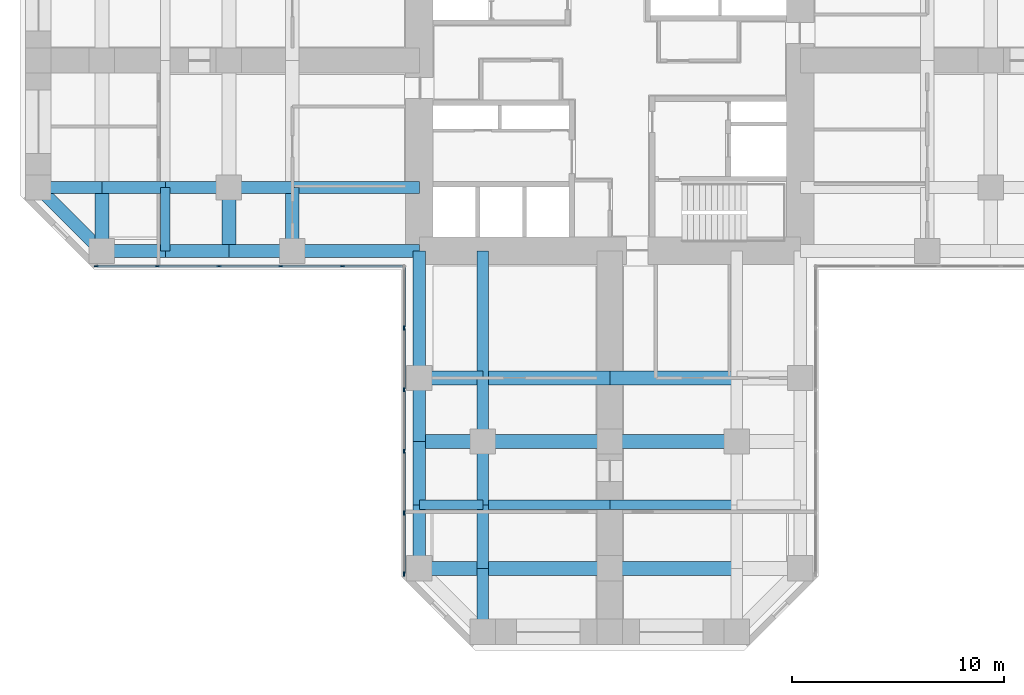
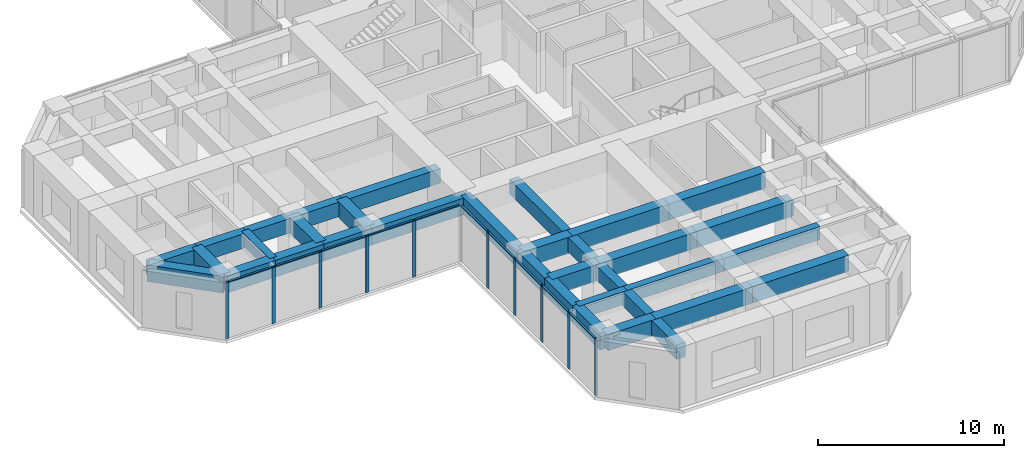
# One storey, part 2 of 13: 35 beams, 20 members, 2 elements without a shape of their own.
"""IFC4 building model written with IfcOpenShell, lengths in metres."""

import ifcopenshell
import ifcopenshell.guid

model = None  # the IFC model being written
_history = None  # IfcOwnerHistory: only IFC2X3 demands one
_inside = {}  # id of a spatial element -> (the spatial element, [elements in it])
_under = {}  # id of a project, library or spatial element -> (it, [spatial elements below it])
_declared = {}  # id of a project -> (the project, [libraries it declares])
_typed = {}  # id of a type object -> (the type object, [elements of that type])
_made_of = {}  # id of a material, layer set ... -> (it, [elements and type objects made of it])


def new_model(schema):
    """Start an empty IFC model of exactly this schema.

    Asked for "IFC4X3", IfcOpenShell would pick the latest addendum, in which some entities
    have other attributes; the version numbers below select the first issue.
    IFC2X3 requires an IfcOwnerHistory on every rooted entity: one is made here for all.
    """
    global model, _history
    if schema == "IFC4X3":
        model = ifcopenshell.file(schema_version=(4, 3, 0, 0))
    else:
        model = ifcopenshell.file(schema=schema)
    _inside.clear()
    _under.clear()
    _declared.clear()
    _typed.clear()
    _made_of.clear()
    _history = None
    if model.schema == "IFC2X3":
        org = make("IfcOrganization", Name="unknown")
        user = make(
            "IfcPersonAndOrganization",
            ThePerson=make("IfcPerson", FamilyName="unknown"),
            TheOrganization=org,
        )
        app = make(
            "IfcApplication",
            ApplicationDeveloper=org,
            Version="unknown",
            ApplicationFullName="unknown",
            ApplicationIdentifier="unknown",
        )
        _history = make(
            "IfcOwnerHistory",
            OwningUser=user,
            OwningApplication=app,
            ChangeAction="ADDED",
            CreationDate=0,
        )
    return model


def make(cls, **values):
    """One entity of the class cls with the attributes given. An attribute that is None is left unset."""
    return model.create_entity(
        cls, **{name: value for name, value in values.items() if value is not None}
    )


def rooted(cls, **values):
    """An entity with a GlobalId (a new one), such as an element, a storey or a relation."""
    return make(cls, GlobalId=ifcopenshell.guid.new(), OwnerHistory=_history, **values)


def si_unit(unit_type, name, prefix=None):
    """IfcSIUnit, for example si_unit("LENGTHUNIT", "METRE", prefix="MILLI")."""
    return make("IfcSIUnit", UnitType=unit_type, Prefix=prefix, Name=name)


def assignment(units):
    """IfcUnitAssignment: the units of a project."""
    return None if units is None else make("IfcUnitAssignment", Units=units)


def point(xyz):
    """IfcCartesianPoint."""
    return None if xyz is None else make("IfcCartesianPoint", Coordinates=xyz)


def direction(xyz):
    """IfcDirection."""
    return None if xyz is None else make("IfcDirection", DirectionRatios=xyz)


def frame(location, z_axis=None, x_axis=None):
    """IfcAxis2Placement3D, a coordinate frame: its origin and axes. An axis left out is left unset."""
    return make(
        "IfcAxis2Placement3D",
        Location=point(location),
        Axis=direction(z_axis),
        RefDirection=direction(x_axis),
    )


def frame_2d(location, x_axis=None):
    """IfcAxis2Placement2D, a coordinate frame in the plane: its origin and x axis."""
    return make(
        "IfcAxis2Placement2D", Location=point(location), RefDirection=direction(x_axis)
    )


def origin():
    """The frame at (0, 0, 0) with its axes left unset."""
    return frame((0.0, 0.0, 0.0))


def origin_2d():
    """The frame at (0, 0) in the plane with its x axis left unset."""
    return frame_2d((0.0, 0.0))


def place(relative_to, where):
    """IfcLocalPlacement: puts the frame where relative to a parent placement (None: the world)."""
    return make(
        "IfcLocalPlacement", PlacementRelTo=relative_to, RelativePlacement=where
    )


def context(
    kind, dimensions, precision=None, world=None, true_north=None, identifier=None
):
    """IfcGeometricRepresentationContext, for example the 3D "Model" context."""
    return make(
        "IfcGeometricRepresentationContext",
        ContextIdentifier=identifier,
        ContextType=kind,
        CoordinateSpaceDimension=dimensions,
        Precision=precision,
        WorldCoordinateSystem=world,
        TrueNorth=true_north,
    )


def subcontext(parent, identifier, kind, view, scale=None):
    """IfcGeometricRepresentationSubContext, for example "Body" below "Model"."""
    return make(
        "IfcGeometricRepresentationSubContext",
        ContextIdentifier=identifier,
        ContextType=kind,
        ParentContext=parent,
        TargetScale=scale,
        TargetView=view,
    )


def project(units=None, contexts=None):
    """IfcProject with its units and contexts."""
    return rooted(
        "IfcProject",
        Name="project",
        RepresentationContexts=contexts,
        UnitsInContext=assignment(units),
    )


def spatial(cls, under=None, at=None, **own):
    """A site, building, storey or space (cls), placed at a placement, below another one or the project."""
    s = rooted(cls, ObjectPlacement=at, **own)
    if under is not None:
        _under.setdefault(under.id(), (under, []))[1].append(s)
    return s


def profile(cls, at=None, kind="AREA", **sizes):
    """A parametric profile (cls). Its sizes go by their IFC names, for example OverallWidth=200.0."""
    return make(cls, ProfileType=kind, Position=at, **sizes)


def rectangle(**sizes):
    """IfcRectangleProfileDef."""
    return profile("IfcRectangleProfileDef", **sizes)


def extrude(swept, where, along, depth):
    """IfcExtrudedAreaSolid: the profile swept, set in the frame where, extruded along a direction by depth."""
    return make(
        "IfcExtrudedAreaSolid",
        SweptArea=swept,
        Position=where,
        ExtrudedDirection=direction(along),
        Depth=depth,
    )


def shape(context_of_items, identifier, shape_type, items):
    """IfcShapeRepresentation: the items that make up one representation, for example the "Body"."""
    return make(
        "IfcShapeRepresentation",
        ContextOfItems=context_of_items,
        RepresentationIdentifier=identifier,
        RepresentationType=shape_type,
        Items=items,
    )


def material(Name=None, Category=None):
    """IfcMaterial."""
    return make("IfcMaterial", Name=Name, Category=Category)


def material_profile(
    of_material, cross_section, Name=None, Category=None, Priority=None
):
    """IfcMaterialProfile: a cross section and its material."""
    return make(
        "IfcMaterialProfile",
        Name=Name,
        Material=of_material,
        Profile=cross_section,
        Priority=Priority,
        Category=Category,
    )


def profile_set(profiles, Name=None, composite=None):
    """IfcMaterialProfileSet."""
    return make(
        "IfcMaterialProfileSet",
        Name=Name,
        MaterialProfiles=profiles,
        CompositeProfile=composite,
    )


def made_of(thing, what):
    """Note that an element or type object is made of a material, layer set ...; save() writes the relation."""
    if what is not None:
        _made_of.setdefault(what.id(), (what, []))[1].append(thing)
    return thing


def type_object(cls, material=None, **own):
    """A type object (cls), such as IfcWallType, which elements share."""
    return made_of(rooted(cls, **own), material)


def element(
    cls,
    number,
    at=None,
    inside=None,
    cuts=None,
    type_object=None,
    material=None,
    context=None,
    identifier="Body",
    shape_type=None,
    held_by="IfcProductDefinitionShape",
    body=None,
    shapes=None,
    **own,
):
    """One element of the class cls, such as IfcWall. Its Tag is "e" and its number.

    at: its placement. inside: the storey or other place that contains it. cuts: it is an
    opening in that element (IfcRelVoidsElement). A single representation is given by context,
    identifier, shape_type and body (its items); several are given by shapes. held_by: the class
    of the entity that holds the representations. save() writes the other relations.
    """
    e = rooted(cls, Tag="e%d" % number, ObjectPlacement=at, **own)
    if body is not None:
        shapes = [shape(context, identifier, shape_type, body)]
    if shapes is not None:
        e.Representation = make(held_by, Representations=shapes)
    if inside is not None:
        _inside.setdefault(inside.id(), (inside, []))[1].append(e)
    if cuts is not None:
        rooted(
            "IfcRelVoidsElement", RelatingBuildingElement=cuts, RelatedOpeningElement=e
        )
    if type_object is not None:
        _typed.setdefault(type_object.id(), (type_object, []))[1].append(e)
    return made_of(e, material)


def aggregate(whole, parts):
    """IfcRelAggregates: a whole, such as a stair, and the parts it consists of."""
    return rooted("IfcRelAggregates", RelatingObject=whole, RelatedObjects=parts)


def save(model, path):
    """Write the relations noted so far, then the file.

    IfcRelAggregates (storeys below a building ...), IfcRelContainedInSpatialStructure (elements
    in a storey), IfcRelDefinesByType, IfcRelAssociatesMaterial and IfcRelDeclares: one each for
    every whole, place, type object, material and project.
    """
    for whole, parts in _under.values():
        aggregate(whole, parts)
    for where, things in _inside.values():
        rooted(
            "IfcRelContainedInSpatialStructure",
            RelatedElements=things,
            RelatingStructure=where,
        )
    for kind, things in _typed.values():
        rooted("IfcRelDefinesByType", RelatedObjects=things, RelatingType=kind)
    for what, things in _made_of.values():
        rooted("IfcRelAssociatesMaterial", RelatedObjects=things, RelatingMaterial=what)
    for by, libraries in _declared.values():
        rooted("IfcRelDeclares", RelatingContext=by, RelatedDefinitions=libraries)
    model.write(path)


model = new_model("IFC4")

# Units and contexts
model_context = context("Model", 3, precision=1e-05, world=origin(), true_north=direction((0.0, 1.0)))
body_context = subcontext(model_context, "Body", "Model", "MODEL_VIEW")
ifc_project = project(units=[si_unit("LENGTHUNIT", "METRE"), si_unit("AREAUNIT", "SQUARE_METRE"), si_unit("VOLUMEUNIT", "CUBIC_METRE"), si_unit("PLANEANGLEUNIT", "RADIAN"), si_unit("MASSUNIT", "GRAM", prefix="KILO")], contexts=[model_context])

# Site, building, storey
site_placement = place(None, origin())
site = spatial("IfcSite", under=ifc_project, at=site_placement, CompositionType="ELEMENT")
building_placement = place(site_placement, origin())
building = spatial("IfcBuilding", under=site, at=building_placement, Name="Torre Cruceta", CompositionType="ELEMENT")
storey_placement = place(building_placement, frame((0.0, 0.0, 91.5)))
storey = spatial("IfcBuildingStorey", under=building, at=storey_placement, Name="L22", CompositionType="ELEMENT", Elevation=91.5)

# Beams
ifc_material_1 = material(Name="Concrete G60 (fck 60 MPa)", Category="concrete")
ifc_material_profile_1 = material_profile(ifc_material_1, rectangle(XDim=0.550048828125, YDim=0.949951171875, at=origin_2d()), Name="RC 550X950")
ifc_profile_set_1 = profile_set([ifc_material_profile_1], Name="Concrete G60 (fck 60 MPa)")
beam_type_1 = type_object("IfcBeamType", Name="COLUMN LINE BEAM RC 550X950", PredefinedType="BEAM", material=ifc_profile_set_1)
beam_1_placement = place(storey_placement, frame((-6.0, -9.0, 3.27490234375), z_axis=(0.0, -1.0, 0.0), x_axis=(1.0, 0.0, 0.0)))
element("IfcBeam", 1, at=beam_1_placement, inside=storey, type_object=beam_type_1, Name="LB3 L22 S col- 1", PredefinedType="BEAM", context=body_context, shape_type="SweptSolid", body=[
    extrude(rectangle(XDim=0.550048828125, YDim=0.949951171875, at=origin_2d()), origin(), (0.0, 0.0, 1.0), 6.0),
])
for number, where, z_axis, x_axis, name in (
    (2, (-6.0, -15.0, 3.27490234375), (0.0, -1.0, 0.0), (1.0, 0.0, 0.0), "LB3 L22 S col- 2"),
    (3, (-6.0, -18.0, 3.27490234375), (0.0, -1.0, 0.0), (1.0, 0.0, 0.0), "LB3 L22 S col- 3"),
    (4, (-6.0, -21.0, 3.27490234375), (0.0, -1.0, 0.0), (1.0, 0.0, 0.0), "LB3 L22 S col- 4"),
    (5, (-6.0, -24.0, 3.27490234375), (0.0, -1.0, 0.0), (1.0, 0.0, 0.0), "LB3 L22 S col- 5"),
):
    element("IfcBeam", number, at=place(storey_placement, frame(where, z_axis=z_axis, x_axis=x_axis)), inside=storey, type_object=beam_type_1, Name=name, PredefinedType="BEAM", context=body_context, shape_type="SweptSolid", body=[
        extrude(rectangle(XDim=0.550048828125, YDim=0.949951171875, at=origin_2d()), origin(), (0.0, 0.0, 1.0), 3.0),
    ])
beam_2_placement = place(storey_placement, frame((-9.0, -6.0, 3.27490234375), z_axis=(-1.0, 0.0, 0.0), x_axis=(0.0, -1.0, 0.0)))
element("IfcBeam", 6, at=beam_2_placement, inside=storey, type_object=beam_type_1, Name="LB3 L22 W col+ 1", PredefinedType="BEAM", context=body_context, shape_type="SweptSolid", body=[
    extrude(rectangle(XDim=0.550048828125, YDim=0.949951171875, at=origin_2d()), origin(), (0.0, 0.0, 1.0), 6.0),
])
for number, where, z_axis, x_axis, name in (
    (7, (-15.0, -6.0, 3.27490234375), (-1.0, 0.0, 0.0), (0.0, -1.0, 0.0), "LB3 L22 W col+ 2"),
    (8, (-18.0, -6.0, 3.27490234375), (-1.0, 0.0, 0.0), (0.0, -1.0, 0.0), "LB3 L22 W col+ 3"),
    (9, (-21.0, -6.0, 3.27490234375), (-1.0, 0.0, 0.0), (0.0, -1.0, 0.0), "LB3 L22 W col+ 4"),
    (10, (-24.0, -6.0, 3.27490234375), (-1.0, 0.0, 0.0), (0.0, -1.0, 0.0), "LB3 L22 W col+ 5"),
):
    element("IfcBeam", number, at=place(storey_placement, frame(where, z_axis=z_axis, x_axis=x_axis)), inside=storey, type_object=beam_type_1, Name=name, PredefinedType="BEAM", context=body_context, shape_type="SweptSolid", body=[
        extrude(rectangle(XDim=0.550048828125, YDim=0.949951171875, at=origin_2d()), origin(), (0.0, 0.0, 1.0), 3.0),
    ])
ifc_material_2 = material(Name="Concrete G60 (fck 60 MPa)", Category="concrete")
ifc_material_profile_2 = material_profile(ifc_material_2, rectangle(XDim=0.64990234375, YDim=1.050048828125, at=origin_2d()), Name="RC 650X1050")
ifc_profile_set_2 = profile_set([ifc_material_profile_2], Name="Concrete G60 (fck 60 MPa)")
beam_type_2 = type_object("IfcBeamType", Name="CROSS BEAM RC 650X1050", PredefinedType="BEAM", material=ifc_profile_set_2)
beam_3_placement = place(storey_placement, frame((-9.0, -15.0, 3.22509765625), z_axis=(1.0, 0.0, 0.0), x_axis=(0.0, 1.0, 0.0)))
element("IfcBeam", 11, at=beam_3_placement, inside=storey, type_object=beam_type_2, Name="GB3 L22 S cross15 1", PredefinedType="BEAM", context=body_context, shape_type="SweptSolid", body=[
    extrude(rectangle(XDim=0.64990234375, YDim=1.050048828125, at=origin_2d()), origin(), (0.0, 0.0, 1.0), 3.0),
])
for number, where, z_axis, x_axis, name in (
    (12, (-6.0, -15.0, 3.22509765625), (1.0, 0.0, 0.0), (0.0, 1.0, 0.0), "GB3 L22 S cross15 2"),
    (13, (0.0, -15.0, 3.22509765625), (1.0, 0.0, 0.0), (0.0, 1.0, 0.0), "GB3 L22 S cross15 3"),
):
    element("IfcBeam", number, at=place(storey_placement, frame(where, z_axis=z_axis, x_axis=x_axis)), inside=storey, type_object=beam_type_2, Name=name, PredefinedType="BEAM", context=body_context, shape_type="SweptSolid", body=[
        extrude(rectangle(XDim=0.64990234375, YDim=1.050048828125, at=origin_2d()), origin(), (0.0, 0.0, 1.0), 6.0),
    ])
beam_4_placement = place(storey_placement, frame((-9.0, -18.0, 3.22509765625), z_axis=(1.0, 0.0, 0.0), x_axis=(0.0, 1.0, 0.0)))
element("IfcBeam", 14, at=beam_4_placement, inside=storey, type_object=beam_type_2, Name="GB3 L22 S cross18 1", PredefinedType="BEAM", context=body_context, shape_type="SweptSolid", body=[
    extrude(rectangle(XDim=0.64990234375, YDim=1.050048828125, at=origin_2d()), origin(), (0.0, 0.0, 1.0), 3.0),
])
for number, where, z_axis, x_axis, name in (
    (15, (-6.0, -18.0, 3.22509765625), (1.0, 0.0, 0.0), (0.0, 1.0, 0.0), "GB3 L22 S cross18 2"),
    (16, (0.0, -18.0, 3.22509765625), (1.0, 0.0, 0.0), (0.0, 1.0, 0.0), "GB3 L22 S cross18 3"),
):
    element("IfcBeam", number, at=place(storey_placement, frame(where, z_axis=z_axis, x_axis=x_axis)), inside=storey, type_object=beam_type_2, Name=name, PredefinedType="BEAM", context=body_context, shape_type="SweptSolid", body=[
        extrude(rectangle(XDim=0.64990234375, YDim=1.050048828125, at=origin_2d()), origin(), (0.0, 0.0, 1.0), 6.0),
    ])
beam_5_placement = place(storey_placement, frame((-9.0, -24.0, 3.22509765625), z_axis=(1.0, 0.0, 0.0), x_axis=(0.0, 1.0, 0.0)))
element("IfcBeam", 17, at=beam_5_placement, inside=storey, type_object=beam_type_2, Name="GB3 L22 S cross24 1", PredefinedType="BEAM", context=body_context, shape_type="SweptSolid", body=[
    extrude(rectangle(XDim=0.64990234375, YDim=1.050048828125, at=origin_2d()), origin(), (0.0, 0.0, 1.0), 3.0),
])
for number, where, z_axis, x_axis, name in (
    (18, (-6.0, -24.0, 3.22509765625), (1.0, 0.0, 0.0), (0.0, 1.0, 0.0), "GB3 L22 S cross24 2"),
    (19, (0.0, -24.0, 3.22509765625), (1.0, 0.0, 0.0), (0.0, 1.0, 0.0), "GB3 L22 S cross24 3"),
):
    element("IfcBeam", number, at=place(storey_placement, frame(where, z_axis=z_axis, x_axis=x_axis)), inside=storey, type_object=beam_type_2, Name=name, PredefinedType="BEAM", context=body_context, shape_type="SweptSolid", body=[
        extrude(rectangle(XDim=0.64990234375, YDim=1.050048828125, at=origin_2d()), origin(), (0.0, 0.0, 1.0), 6.0),
    ])
for number, where, z_axis, x_axis, name in (
    (20, (-15.0, -6.0, 3.22509765625), (0.0, -1.0, 0.0), (1.0, 0.0, 0.0), "GB3 L22 W cross15 4"),
    (21, (-18.0, -6.0, 3.22509765625), (0.0, -1.0, 0.0), (1.0, 0.0, 0.0), "GB3 L22 W cross18 4"),
    (22, (-24.0, -6.0, 3.22509765625), (0.0, -1.0, 0.0), (1.0, 0.0, 0.0), "GB3 L22 W cross24 4"),
):
    element("IfcBeam", number, at=place(storey_placement, frame(where, z_axis=z_axis, x_axis=x_axis)), inside=storey, type_object=beam_type_2, Name=name, PredefinedType="BEAM", context=body_context, shape_type="SweptSolid", body=[
        extrude(rectangle(XDim=0.64990234375, YDim=1.050048828125, at=origin_2d()), origin(), (0.0, 0.0, 1.0), 3.0),
    ])

# Curtain wall, members
ifc_material_3 = material(Name="Aluminium unitised curtain wall", Category="aluminium")
curtain_wall_type = type_object("IfcCurtainWallType", Name="CURTAIN WALL CW-A OFFICE LOW RISE", PredefinedType="USERDEFINED", material=ifc_material_3)
curtain_wall_1_placement = place(storey_placement, origin())
curtain_wall_1 = element("IfcCurtainWall", 23, at=curtain_wall_1_placement, inside=storey, type_object=curtain_wall_type, Name="CW-A L22 W side 14", ObjectType="UNITISED", PredefinedType="USERDEFINED")
ifc_material_4 = material(Name="Aluminium mullion", Category="aluminium")
ifc_material_profile_3 = material_profile(ifc_material_4, rectangle(XDim=0.06494140625, YDim=0.199951171875, at=origin_2d()), Name="AL 65X200")
ifc_profile_set_3 = profile_set([ifc_material_profile_3], Name="Aluminium mullion")
member_type_1 = type_object("IfcMemberType", Name="CW-A MULLION 65X200", PredefinedType="MULLION", material=ifc_profile_set_3)
member_1_placement = place(storey_placement, frame((-24.265625, -9.719970703125, 0.0), z_axis=(0.0, 0.0, 1.0), x_axis=(0.0, 1.0, 0.0)))
member_1 = element("IfcMember", 24, at=member_1_placement, type_object=member_type_1, Name="CW-A mullion 1", PredefinedType="MULLION", context=body_context, shape_type="SweptSolid", body=[
    extrude(rectangle(XDim=0.06494140625, YDim=0.199951171875, at=origin_2d()), origin(), (0.0, 0.0, 1.0), 3.75),
])
member_2_placement = place(storey_placement, frame((-21.382568359375, -9.719970703125, 0.0), z_axis=(0.0, 0.0, 1.0), x_axis=(0.0, 1.0, 0.0)))
member_2 = element("IfcMember", 25, at=member_2_placement, type_object=member_type_1, Name="CW-A mullion 2", PredefinedType="MULLION", context=body_context, shape_type="SweptSolid", body=[
    extrude(rectangle(XDim=0.06494140625, YDim=0.199951171875, at=origin_2d()), origin(), (0.0, 0.0, 1.0), 3.75),
])
member_3_placement = place(storey_placement, frame((-18.467041015625, -9.719970703125, 0.0), z_axis=(0.0, 0.0, 1.0), x_axis=(0.0, 1.0, 0.0)))
member_3 = element("IfcMember", 26, at=member_3_placement, type_object=member_type_1, Name="CW-A mullion 3", PredefinedType="MULLION", context=body_context, shape_type="SweptSolid", body=[
    extrude(rectangle(XDim=0.06494140625, YDim=0.199951171875, at=origin_2d()), origin(), (0.0, 0.0, 1.0), 3.75),
])
member_4_placement = place(storey_placement, frame((-15.55126953125, -9.719970703125, 0.0), z_axis=(0.0, 0.0, 1.0), x_axis=(0.0, 1.0, 0.0)))
member_4 = element("IfcMember", 27, at=member_4_placement, type_object=member_type_1, Name="CW-A mullion 4", PredefinedType="MULLION", context=body_context, shape_type="SweptSolid", body=[
    extrude(rectangle(XDim=0.06494140625, YDim=0.199951171875, at=origin_2d()), origin(), (0.0, 0.0, 1.0), 3.75),
])
member_5_placement = place(storey_placement, frame((-12.6357421875, -9.719970703125, 0.0), z_axis=(0.0, 0.0, 1.0), x_axis=(0.0, 1.0, 0.0)))
member_5 = element("IfcMember", 28, at=member_5_placement, type_object=member_type_1, Name="CW-A mullion 5", PredefinedType="MULLION", context=body_context, shape_type="SweptSolid", body=[
    extrude(rectangle(XDim=0.06494140625, YDim=0.199951171875, at=origin_2d()), origin(), (0.0, 0.0, 1.0), 3.75),
])

curtain_wall_2_placement = place(storey_placement, origin())
curtain_wall_2 = element("IfcCurtainWall", 29, at=curtain_wall_2_placement, inside=storey, type_object=curtain_wall_type, Name="CW-A L22 S side 15", ObjectType="UNITISED", PredefinedType="USERDEFINED")
member_6_placement = place(storey_placement, frame((-9.719970703125, -12.6357421875, 0.0), z_axis=(0.0, 0.0, 1.0), x_axis=(1.0, 0.0, 0.0)))
member_6 = element("IfcMember", 30, at=member_6_placement, type_object=member_type_1, Name="CW-A mullion 2", PredefinedType="MULLION", context=body_context, shape_type="SweptSolid", body=[
    extrude(rectangle(XDim=0.06494140625, YDim=0.199951171875, at=origin_2d()), origin(), (0.0, 0.0, 1.0), 3.75),
])
member_7_placement = place(storey_placement, frame((-9.719970703125, -15.55126953125, 0.0), z_axis=(0.0, 0.0, 1.0), x_axis=(1.0, 0.0, 0.0)))
member_7 = element("IfcMember", 31, at=member_7_placement, type_object=member_type_1, Name="CW-A mullion 3", PredefinedType="MULLION", context=body_context, shape_type="SweptSolid", body=[
    extrude(rectangle(XDim=0.06494140625, YDim=0.199951171875, at=origin_2d()), origin(), (0.0, 0.0, 1.0), 3.75),
])
member_8_placement = place(storey_placement, frame((-9.719970703125, -18.467041015625, 0.0), z_axis=(0.0, 0.0, 1.0), x_axis=(1.0, 0.0, 0.0)))
member_8 = element("IfcMember", 32, at=member_8_placement, type_object=member_type_1, Name="CW-A mullion 4", PredefinedType="MULLION", context=body_context, shape_type="SweptSolid", body=[
    extrude(rectangle(XDim=0.06494140625, YDim=0.199951171875, at=origin_2d()), origin(), (0.0, 0.0, 1.0), 3.75),
])
member_9_placement = place(storey_placement, frame((-9.719970703125, -21.382568359375, 0.0), z_axis=(0.0, 0.0, 1.0), x_axis=(1.0, 0.0, 0.0)))
member_9 = element("IfcMember", 33, at=member_9_placement, type_object=member_type_1, Name="CW-A mullion 5", PredefinedType="MULLION", context=body_context, shape_type="SweptSolid", body=[
    extrude(rectangle(XDim=0.06494140625, YDim=0.199951171875, at=origin_2d()), origin(), (0.0, 0.0, 1.0), 3.75),
])
member_10_placement = place(storey_placement, frame((-9.719970703125, -24.265625, 0.0), z_axis=(0.0, 0.0, 1.0), x_axis=(1.0, 0.0, 0.0)))
member_10 = element("IfcMember", 34, at=member_10_placement, type_object=member_type_1, Name="CW-A mullion 6", PredefinedType="MULLION", context=body_context, shape_type="SweptSolid", body=[
    extrude(rectangle(XDim=0.06494140625, YDim=0.199951171875, at=origin_2d()), origin(), (0.0, 0.0, 1.0), 3.75),
])

# Member
ifc_material_5 = material(Name="Aluminium transom", Category="aluminium")
ifc_material_profile_4 = material_profile(ifc_material_5, rectangle(XDim=0.1201171875, YDim=0.06494140625, at=origin_2d()), Name="AL 120X65")
ifc_profile_set_4 = profile_set([ifc_material_profile_4], Name="Aluminium transom")
member_type_2 = type_object("IfcMemberType", Name="CW-A TRANSOM 65X120", PredefinedType="USERDEFINED", material=ifc_profile_set_4)
member_11_placement = place(storey_placement, frame((-24.233154296875, -9.719970703125, 3.717529296875), z_axis=(1.0, 0.0, 0.0), x_axis=(0.0, 1.0, 0.0)))
member_11 = element("IfcMember", 35, at=member_11_placement, type_object=member_type_2, Name="CW-A transom 1", ObjectType="TRANSOM", PredefinedType="USERDEFINED", context=body_context, shape_type="SweptSolid", body=[
    extrude(rectangle(XDim=0.1201171875, YDim=0.06494140625, at=origin_2d()), origin(), (0.0, 0.0, 1.0), 2.818115234375),
])

member_12_placement = place(storey_placement, frame((-21.35009765625, -9.719970703125, 3.717529296875), z_axis=(1.0, 0.0, 0.0), x_axis=(0.0, 1.0, 0.0)))
member_12 = element("IfcMember", 36, at=member_12_placement, type_object=member_type_2, Name="CW-A transom 2", ObjectType="TRANSOM", PredefinedType="USERDEFINED", context=body_context, shape_type="SweptSolid", body=[
    extrude(rectangle(XDim=0.1201171875, YDim=0.06494140625, at=origin_2d()), origin(), (0.0, 0.0, 1.0), 2.8505859375),
])

member_13_placement = place(storey_placement, frame((-18.434326171875, -9.719970703125, 3.717529296875), z_axis=(1.0, 0.0, 0.0), x_axis=(0.0, 1.0, 0.0)))
member_13 = element("IfcMember", 37, at=member_13_placement, type_object=member_type_2, Name="CW-A transom 3", ObjectType="TRANSOM", PredefinedType="USERDEFINED", context=body_context, shape_type="SweptSolid", body=[
    extrude(rectangle(XDim=0.1201171875, YDim=0.06494140625, at=origin_2d()), origin(), (0.0, 0.0, 1.0), 2.8505859375),
])

member_14_placement = place(storey_placement, frame((-15.518798828125, -9.719970703125, 3.717529296875), z_axis=(1.0, 0.0, 0.0), x_axis=(0.0, 1.0, 0.0)))
member_14 = element("IfcMember", 38, at=member_14_placement, type_object=member_type_2, Name="CW-A transom 4", ObjectType="TRANSOM", PredefinedType="USERDEFINED", context=body_context, shape_type="SweptSolid", body=[
    extrude(rectangle(XDim=0.1201171875, YDim=0.06494140625, at=origin_2d()), origin(), (0.0, 0.0, 1.0), 2.8505859375),
])

member_15_placement = place(storey_placement, frame((-12.60302734375, -9.719970703125, 3.717529296875), z_axis=(1.0, 0.0, 0.0), x_axis=(0.0, 1.0, 0.0)))
member_15 = element("IfcMember", 39, at=member_15_placement, type_object=member_type_2, Name="CW-A transom 5", ObjectType="TRANSOM", PredefinedType="USERDEFINED", context=body_context, shape_type="SweptSolid", body=[
    extrude(rectangle(XDim=0.1201171875, YDim=0.06494140625, at=origin_2d()), origin(), (0.0, 0.0, 1.0), 2.818115234375),
])

aggregate(curtain_wall_1, [member_1, member_2, member_3, member_4, member_5, member_11, member_12, member_13, member_14, member_15])

member_16_placement = place(storey_placement, frame((-9.719970703125, -9.784912109375, 3.717529296875), z_axis=(0.0, -1.0, 0.0), x_axis=(1.0, 0.0, 0.0)))
member_16 = element("IfcMember", 40, at=member_16_placement, type_object=member_type_2, Name="CW-A transom 1", ObjectType="TRANSOM", PredefinedType="USERDEFINED", context=body_context, shape_type="SweptSolid", body=[
    extrude(rectangle(XDim=0.1201171875, YDim=0.06494140625, at=origin_2d()), origin(), (0.0, 0.0, 1.0), 2.818115234375),
])

member_17_placement = place(storey_placement, frame((-9.719970703125, -12.668212890625, 3.717529296875), z_axis=(0.0, -1.0, 0.0), x_axis=(1.0, 0.0, 0.0)))
member_17 = element("IfcMember", 41, at=member_17_placement, type_object=member_type_2, Name="CW-A transom 2", ObjectType="TRANSOM", PredefinedType="USERDEFINED", context=body_context, shape_type="SweptSolid", body=[
    extrude(rectangle(XDim=0.1201171875, YDim=0.06494140625, at=origin_2d()), origin(), (0.0, 0.0, 1.0), 2.8505859375),
])

member_18_placement = place(storey_placement, frame((-9.719970703125, -15.583740234375, 3.717529296875), z_axis=(0.0, -1.0, 0.0), x_axis=(1.0, 0.0, 0.0)))
member_18 = element("IfcMember", 42, at=member_18_placement, type_object=member_type_2, Name="CW-A transom 3", ObjectType="TRANSOM", PredefinedType="USERDEFINED", context=body_context, shape_type="SweptSolid", body=[
    extrude(rectangle(XDim=0.1201171875, YDim=0.06494140625, at=origin_2d()), origin(), (0.0, 0.0, 1.0), 2.8505859375),
])

member_19_placement = place(storey_placement, frame((-9.719970703125, -18.49951171875, 3.717529296875), z_axis=(0.0, -1.0, 0.0), x_axis=(1.0, 0.0, 0.0)))
member_19 = element("IfcMember", 43, at=member_19_placement, type_object=member_type_2, Name="CW-A transom 4", ObjectType="TRANSOM", PredefinedType="USERDEFINED", context=body_context, shape_type="SweptSolid", body=[
    extrude(rectangle(XDim=0.1201171875, YDim=0.06494140625, at=origin_2d()), origin(), (0.0, 0.0, 1.0), 2.8505859375),
])

member_20_placement = place(storey_placement, frame((-9.719970703125, -21.4150390625, 3.717529296875), z_axis=(0.0, -1.0, 0.0), x_axis=(1.0, 0.0, 0.0)))
member_20 = element("IfcMember", 44, at=member_20_placement, type_object=member_type_2, Name="CW-A transom 5", ObjectType="TRANSOM", PredefinedType="USERDEFINED", context=body_context, shape_type="SweptSolid", body=[
    extrude(rectangle(XDim=0.1201171875, YDim=0.06494140625, at=origin_2d()), origin(), (0.0, 0.0, 1.0), 2.818115234375),
])

aggregate(curtain_wall_2, [member_6, member_7, member_8, member_9, member_10, member_16, member_17, member_18, member_19, member_20])

# Beams
ifc_material_6 = material(Name="Concrete G60 (fck 60 MPa)", Category="concrete")
ifc_material_profile_5 = material_profile(ifc_material_6, rectangle(XDim=0.449951171875, YDim=0.85009765625, at=origin_2d()), Name="RC 450X850")
ifc_profile_set_5 = profile_set([ifc_material_profile_5], Name="Concrete G60 (fck 60 MPa)")
beam_type_3 = type_object("IfcBeamType", Name="SECONDARY BEAM RC 450X850", PredefinedType="JOIST", material=ifc_profile_set_5)
beam_6_placement = place(storey_placement, frame((-9.0, -21.0, 3.324951171875), z_axis=(1.0, 0.0, 0.0), x_axis=(0.0, 1.0, 0.0)))
element("IfcBeam", 45, at=beam_6_placement, inside=storey, type_object=beam_type_3, Name="JB4 L22 S sec21 1", PredefinedType="JOIST", context=body_context, shape_type="SweptSolid", body=[
    extrude(rectangle(XDim=0.449951171875, YDim=0.85009765625, at=origin_2d()), origin(), (0.0, 0.0, 1.0), 3.0),
])
for number, where, z_axis, x_axis, name in (
    (46, (-6.0, -21.0, 3.324951171875), (1.0, 0.0, 0.0), (0.0, 1.0, 0.0), "JB4 L22 S sec21 2"),
    (47, (0.0, -21.0, 3.324951171875), (1.0, 0.0, 0.0), (0.0, 1.0, 0.0), "JB4 L22 S sec21 3"),
):
    element("IfcBeam", number, at=place(storey_placement, frame(where, z_axis=z_axis, x_axis=x_axis)), inside=storey, type_object=beam_type_3, Name=name, PredefinedType="JOIST", context=body_context, shape_type="SweptSolid", body=[
        extrude(rectangle(XDim=0.449951171875, YDim=0.85009765625, at=origin_2d()), origin(), (0.0, 0.0, 1.0), 6.0),
    ])
beam_7_placement = place(storey_placement, frame((-21.0, -6.0, 3.324951171875), z_axis=(0.0, -1.0, 0.0), x_axis=(1.0, 0.0, 0.0)))
element("IfcBeam", 48, at=beam_7_placement, inside=storey, type_object=beam_type_3, Name="JB4 L22 W sec21 4", PredefinedType="JOIST", context=body_context, shape_type="SweptSolid", body=[
    extrude(rectangle(XDim=0.449951171875, YDim=0.85009765625, at=origin_2d()), origin(), (0.0, 0.0, 1.0), 3.0),
])
ifc_material_7 = material(Name="Concrete G60 (fck 60 MPa)", Category="concrete")
ifc_material_profile_6 = material_profile(ifc_material_7, rectangle(XDim=0.60009765625, YDim=1.10009765625, at=origin_2d()), Name="RC 600X1100")
ifc_profile_set_6 = profile_set([ifc_material_profile_6], Name="Concrete G60 (fck 60 MPa)")
beam_type_4 = type_object("IfcBeamType", Name="SPANDREL BEAM RC 600X1100", PredefinedType="SPANDREL", material=ifc_profile_set_6)
beam_8_placement = place(storey_placement, frame((-9.0, -9.0, 3.199951171875), z_axis=(0.0, -1.0, 0.0), x_axis=(1.0, 0.0, 0.0)))
element("IfcBeam", 49, at=beam_8_placement, inside=storey, type_object=beam_type_4, Name="SB2 L22 S side- 1", PredefinedType="SPANDREL", context=body_context, shape_type="SweptSolid", body=[
    extrude(rectangle(XDim=0.60009765625, YDim=1.10009765625, at=origin_2d()), origin(), (0.0, 0.0, 1.0), 6.0),
])
for number, where, z_axis, x_axis, name in (
    (50, (-9.0, -15.0, 3.199951171875), (0.0, -1.0, 0.0), (1.0, 0.0, 0.0), "SB2 L22 S side- 2"),
    (51, (-9.0, -18.0, 3.199951171875), (0.0, -1.0, 0.0), (1.0, 0.0, 0.0), "SB2 L22 S side- 3"),
    (52, (-9.0, -21.0, 3.199951171875), (0.0, -1.0, 0.0), (1.0, 0.0, 0.0), "SB2 L22 S side- 4"),
):
    element("IfcBeam", number, at=place(storey_placement, frame(where, z_axis=z_axis, x_axis=x_axis)), inside=storey, type_object=beam_type_4, Name=name, PredefinedType="SPANDREL", context=body_context, shape_type="SweptSolid", body=[
        extrude(rectangle(XDim=0.60009765625, YDim=1.10009765625, at=origin_2d()), origin(), (0.0, 0.0, 1.0), 3.0),
    ])
beam_9_placement = place(storey_placement, frame((-9.0, -9.0, 3.199951171875), z_axis=(-1.0, 0.0, 0.0), x_axis=(0.0, -1.0, 0.0)))
element("IfcBeam", 53, at=beam_9_placement, inside=storey, type_object=beam_type_4, Name="SB2 L22 W side+ 1", PredefinedType="SPANDREL", context=body_context, shape_type="SweptSolid", body=[
    extrude(rectangle(XDim=0.60009765625, YDim=1.10009765625, at=origin_2d()), origin(), (0.0, 0.0, 1.0), 6.0),
])
for number, where, z_axis, x_axis, name in (
    (54, (-15.0, -9.0, 3.199951171875), (-1.0, 0.0, 0.0), (0.0, -1.0, 0.0), "SB2 L22 W side+ 2"),
    (55, (-18.0, -9.0, 3.199951171875), (-1.0, 0.0, 0.0), (0.0, -1.0, 0.0), "SB2 L22 W side+ 3"),
    (56, (-21.0, -9.0, 3.199951171875), (-1.0, 0.0, 0.0), (0.0, -1.0, 0.0), "SB2 L22 W side+ 4"),
):
    element("IfcBeam", number, at=place(storey_placement, frame(where, z_axis=z_axis, x_axis=x_axis)), inside=storey, type_object=beam_type_4, Name=name, PredefinedType="SPANDREL", context=body_context, shape_type="SweptSolid", body=[
        extrude(rectangle(XDim=0.60009765625, YDim=1.10009765625, at=origin_2d()), origin(), (0.0, 0.0, 1.0), 3.0),
    ])
beam_10_placement = place(storey_placement, frame((-24.0, -9.0, 3.199951171875), z_axis=(-0.707106781187, 0.707106781187, 0.0), x_axis=(-0.707106781187, -0.707106781187, 0.0)))
element("IfcBeam", 57, at=beam_10_placement, inside=storey, type_object=beam_type_4, Name="SB2 L22 W side+ 5", PredefinedType="SPANDREL", context=body_context, shape_type="SweptSolid", body=[
    extrude(rectangle(XDim=0.60009765625, YDim=1.10009765625, at=origin_2d()), origin(), (0.0, 0.0, 1.0), 4.24267578125),
])

save(model, "model.ifc")
